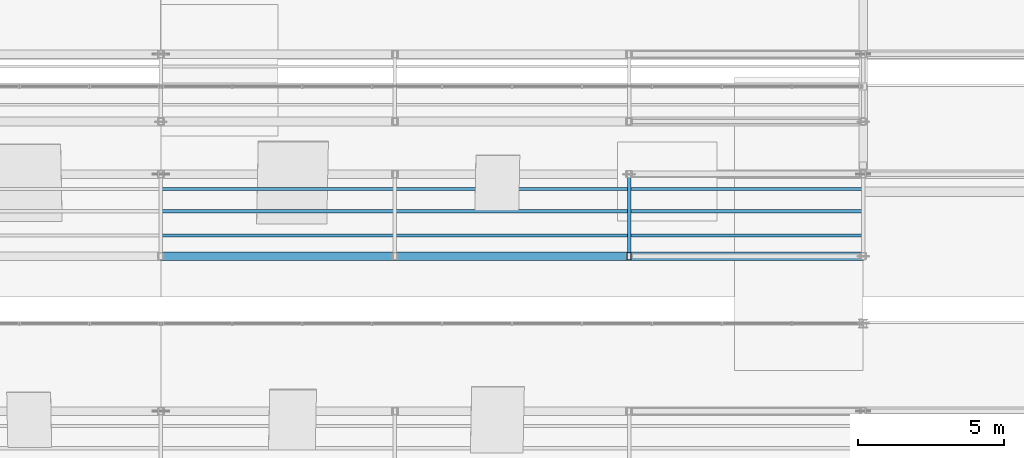
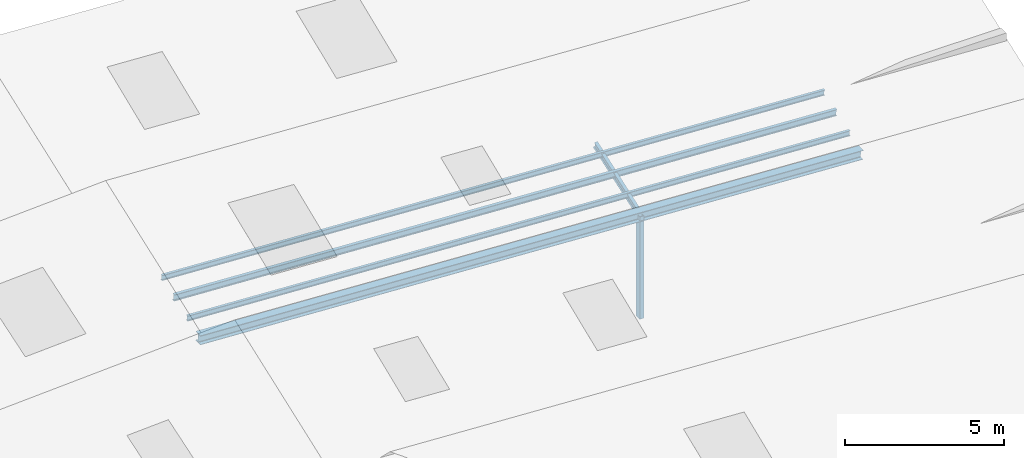
# One storey, part 113 of 141: 6 members.
"""IFC4 building model written with IfcOpenShell, lengths in metres."""

from ifc_helpers import new_model, si_unit, direction, frame, origin, origin_2d, place, context, subcontext, project, spatial, hollow_rectangle, i_section, extrude, material, material_profile, profile_set, type_object, element, save


model = new_model("IFC4")

# Units and contexts
model_context = context("Model", 3, precision=1e-05, world=origin(), true_north=direction((0.0, 1.0)))
body_context = subcontext(model_context, "Body", "Model", "MODEL_VIEW")
ifc_project = project(units=[si_unit("LENGTHUNIT", "METRE"), si_unit("AREAUNIT", "SQUARE_METRE"), si_unit("VOLUMEUNIT", "CUBIC_METRE"), si_unit("PLANEANGLEUNIT", "RADIAN"), si_unit("MASSUNIT", "GRAM", prefix="KILO")], contexts=[model_context])

# Site, building, storey
site_placement = place(None, origin())
site = spatial("IfcSite", under=ifc_project, at=site_placement, CompositionType="ELEMENT")
building_placement = place(site_placement, origin())
building = spatial("IfcBuilding", under=site, at=building_placement, Name="Sundkrona Museum", CompositionType="ELEMENT")
storey_placement = place(building_placement, frame((0.0, 0.0, 34.0)))
storey = spatial("IfcBuildingStorey", under=building, at=storey_placement, Name="RF", CompositionType="ELEMENT", Elevation=34.0)

# Members
ifc_material = material(Name="Steel S355J2", Category="steel")
ifc_material_profile_1 = material_profile(ifc_material, i_section(OverallWidth=0.10009765625, OverallDepth=0.199951171875, WebThickness=0.005615234375, FlangeThickness=0.008544921875, FilletRadius=0.011962890625, at=origin_2d()), Name="IPE 200")
ifc_profile_set_1 = profile_set([ifc_material_profile_1], Name="Steel S355J2")
member_type_1 = type_object("IfcMemberType", Name="PR-IPE200", PredefinedType="PURLIN", material=ifc_profile_set_1)
for number, where, z_axis, x_axis, name in (
    (1, (144.0, 37.60009765625, 4.8779296875), (0.998539934522, 0.0, -0.054018507607), (0.0, 1.0, 0.0), "RFS-1 Sawtooth Blade 6E Roof Purlin 1"),
    (2, (144.0, 39.196044921875, 5.46533203125), (0.998539934522, 0.0, -0.054018507607), (0.0, 1.0, 0.0), "RFS-1 Sawtooth Blade 6E Roof Purlin 3"),
):
    element("IfcMember", number, at=place(storey_placement, frame(where, z_axis=z_axis, x_axis=x_axis)), inside=storey, type_object=member_type_1, Name=name, PredefinedType="PURLIN", context=body_context, shape_type="SweptSolid", body=[
        extrude(i_section(OverallWidth=0.10009765625, OverallDepth=0.199951171875, WebThickness=0.005615234375, FlangeThickness=0.008544921875, FilletRadius=0.011962890625, at=origin_2d()), origin(), (0.0, 0.0, 1.0), 24.03515625),
    ])
ifc_material_profile_2 = material_profile(ifc_material, i_section(OverallWidth=0.1201171875, OverallDepth=0.239990234375, WebThickness=0.006103515625, FlangeThickness=0.009765625, FilletRadius=0.014892578125, at=origin_2d()), Name="IPE 240")
ifc_profile_set_2 = profile_set([ifc_material_profile_2], Name="Steel S355J2")
member_type_2 = type_object("IfcMemberType", Name="PR-IPE240", PredefinedType="PURLIN", material=ifc_profile_set_2)
member_1_placement = place(storey_placement, frame((160.0, 36.89990234375, 3.669677734375), z_axis=(0.0, 0.942729033287, 0.333559544605), x_axis=(-1.0, 0.0, 0.0)))
element("IfcMember", 3, at=member_1_placement, inside=storey, type_object=member_type_2, Name="RFS-1 Sawtooth Bay 6 Transverse Rafter 6", PredefinedType="PURLIN", context=body_context, shape_type="SweptSolid", body=[
    extrude(i_section(OverallWidth=0.1201171875, OverallDepth=0.239990234375, WebThickness=0.006103515625, FlangeThickness=0.009765625, FilletRadius=0.014892578125, at=origin_2d()), origin(), (0.0, 0.0, 1.0), 2.97021484375),
])
member_2_placement = place(storey_placement, frame((144.0, 38.43994140625, 5.1669921875), z_axis=(0.998539934522, 0.0, -0.054018507607), x_axis=(0.0, 1.0, 0.0)))
element("IfcMember", 4, at=member_2_placement, inside=storey, type_object=member_type_2, Name="RFS-1 Sawtooth Blade 6E Roof Purlin 2", PredefinedType="PURLIN", context=body_context, shape_type="SweptSolid", body=[
    extrude(i_section(OverallWidth=0.1201171875, OverallDepth=0.239990234375, WebThickness=0.006103515625, FlangeThickness=0.009765625, FilletRadius=0.014892578125, at=origin_2d()), origin(), (0.0, 0.0, 1.0), 24.03515625),
])
ifc_material_profile_3 = material_profile(ifc_material, hollow_rectangle(XDim=0.14990234375, YDim=0.25, WallThickness=0.010009765625, at=origin_2d()), Name="RHS 250x150x10.0")
ifc_profile_set_3 = profile_set([ifc_material_profile_3], Name="Steel S355J2")
member_type_3 = type_object("IfcMemberType", Name="ST-RHS250", PredefinedType="STRUT", material=ifc_profile_set_3)
member_3_placement = place(storey_placement, frame((160.0, 36.89990234375, -0.25), z_axis=(0.0, 0.0, 1.0), x_axis=(1.0, 0.0, 0.0)))
element("IfcMember", 5, at=member_3_placement, inside=storey, type_object=member_type_3, Name="RFS-1 Sawtooth Bay 6 Valley Post 6", PredefinedType="STRUT", context=body_context, shape_type="SweptSolid", body=[
    extrude(hollow_rectangle(XDim=0.14990234375, YDim=0.25, WallThickness=0.010009765625, at=origin_2d()), origin(), (0.0, 0.0, 1.0), 3.919677734375),
])
ifc_material_profile_4 = material_profile(ifc_material, i_section(OverallWidth=0.300048828125, OverallDepth=0.35009765625, WebThickness=0.010009765625, FlangeThickness=0.017578125, FilletRadius=0.027099609375, at=origin_2d()), Name="HEA 360")
ifc_profile_set_4 = profile_set([ifc_material_profile_4], Name="Steel S355J2")
member_type_4 = type_object("IfcMemberType", Name="TC-HEA360", PredefinedType="CHORD", material=ifc_profile_set_4)
member_4_placement = place(storey_placement, frame((144.0, 36.89990234375, 4.535400390625), z_axis=(0.99853938657, 0.0, -0.054028635632), x_axis=(0.0, 1.0, 0.0)))
element("IfcMember", 6, at=member_4_placement, inside=storey, type_object=member_type_4, Name="RFS-1 Sawtooth Valley Truss 6 East Top Chord", PredefinedType="CHORD", context=body_context, shape_type="SweptSolid", body=[
    extrude(i_section(OverallWidth=0.300048828125, OverallDepth=0.35009765625, WebThickness=0.010009765625, FlangeThickness=0.017578125, FilletRadius=0.027099609375, at=origin_2d()), origin(), (0.0, 0.0, 1.0), 24.03515625),
])

save(model, "model.ifc")
